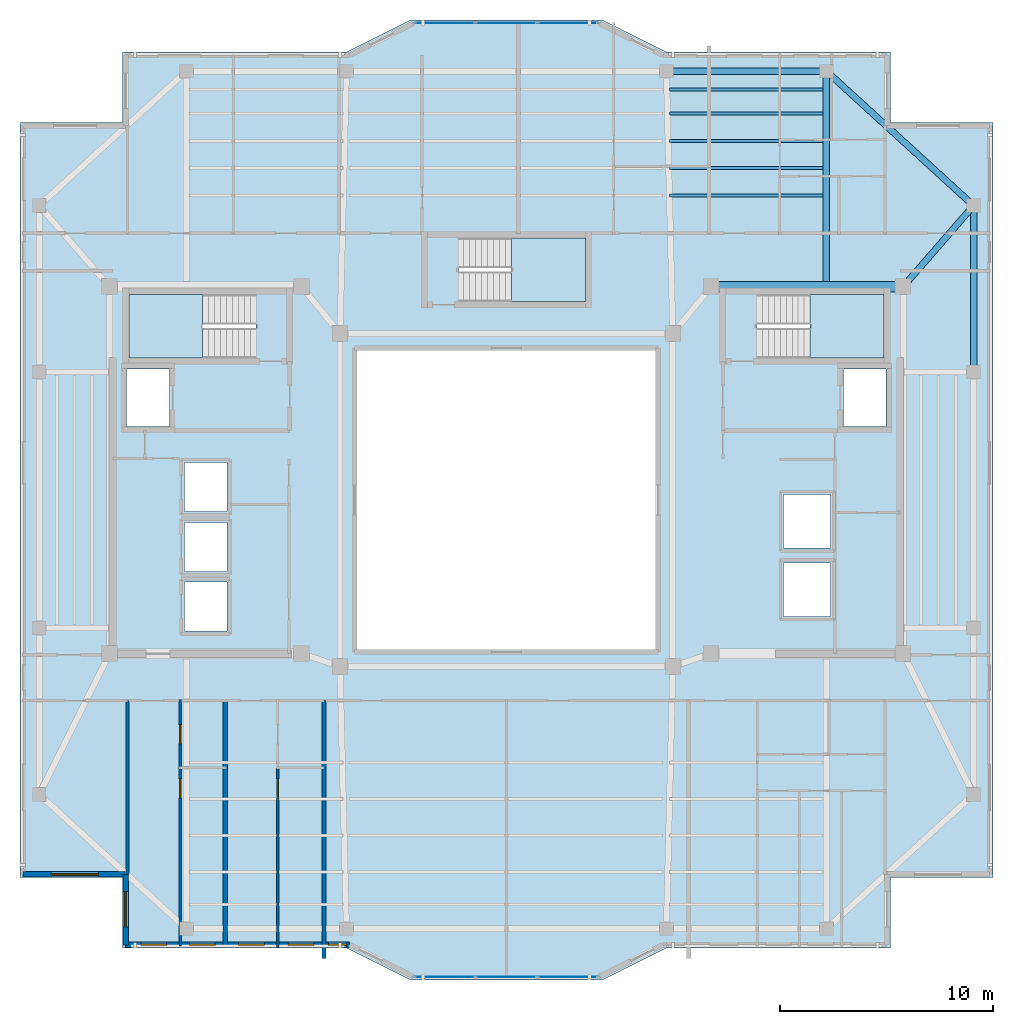
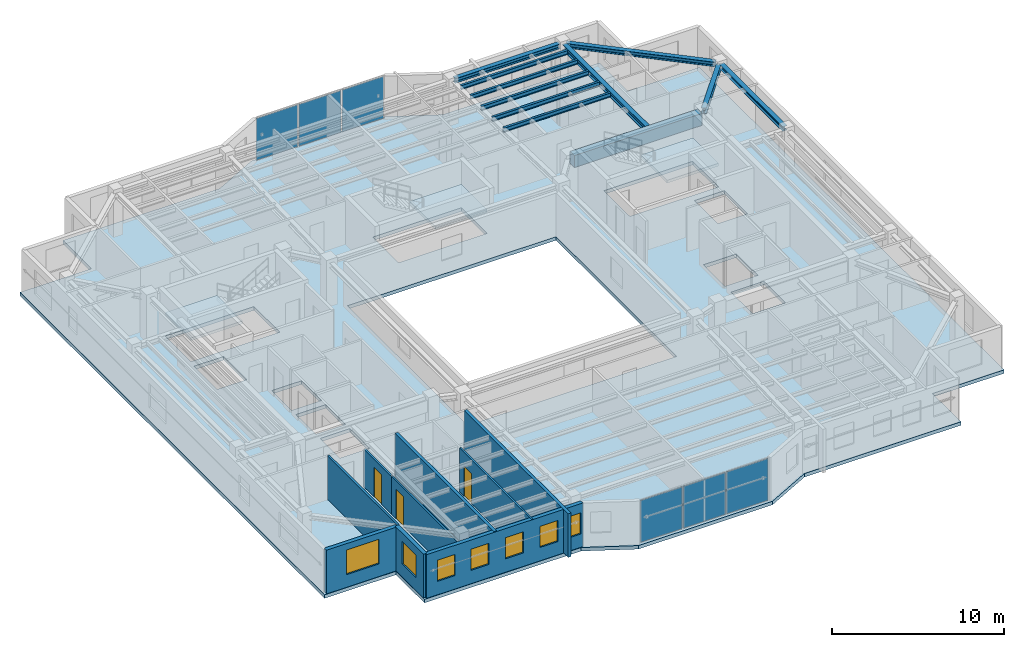
# One storey, part 5 of 14: 11 beams, 9 walls, 7 windows, 6 plates, 4 slabs, 3 doors, 10 openings, 5 elements without a shape of their own.
"""IFC4 building model written with IfcOpenShell, lengths in metres."""

from ifc_helpers import new_model, si_unit, direction, frame, frame_2d, origin, origin_2d, place, context, subcontext, project, spatial, polyline, rectangle, i_section, outline, extrude, material, layer, layer_set, material_profile, profile_set, type_object, element, fill, aggregate, save


model = new_model("IFC4")

# Units and contexts
model_context = context("Model", 3, precision=1e-05, world=origin(), true_north=direction((0.0, 1.0)))
body_context = subcontext(model_context, "Body", "Model", "MODEL_VIEW")
ifc_project = project(units=[si_unit("LENGTHUNIT", "METRE"), si_unit("AREAUNIT", "SQUARE_METRE"), si_unit("VOLUMEUNIT", "CUBIC_METRE"), si_unit("PLANEANGLEUNIT", "RADIAN"), si_unit("MASSUNIT", "GRAM", prefix="KILO")], contexts=[model_context])

# Site, building, storey
site_placement = place(None, origin())
site = spatial("IfcSite", under=ifc_project, at=site_placement, CompositionType="ELEMENT")
building_placement = place(site_placement, origin())
building = spatial("IfcBuilding", under=site, at=building_placement, Name="Tarnavaz Court Tower", CompositionType="ELEMENT")
storey_placement = place(building_placement, frame((0.0, 0.0, 258.25)))
storey = spatial("IfcBuildingStorey", under=building, at=storey_placement, Name="L70", CompositionType="ELEMENT", Elevation=258.25)

# Beams
ifc_material_1 = material(Name="Concrete C50/60", Category="concrete")
ifc_material_profile_1 = material_profile(ifc_material_1, rectangle(XDim=0.5, YDim=0.85009765625, at=origin_2d()), Name="RC 500X850")
ifc_profile_set_1 = profile_set([ifc_material_profile_1], Name="Concrete C50/60")
beam_type_1 = type_object("IfcBeamType", Name="BM-CB850", PredefinedType="LINTEL", material=ifc_profile_set_1)
beam_1_placement = place(storey_placement, frame((18.3798828125, 10.0, 2.675048828125), z_axis=(-1.0, 0.0, 0.0), x_axis=(0.0, -1.0, 0.0)))
element("IfcBeam", 1, at=beam_1_placement, inside=storey, type_object=beam_type_1, Name="L70 Beam IN-CE-NO-CE-NI", PredefinedType="LINTEL", context=body_context, shape_type="SweptSolid", body=[
    extrude(rectangle(XDim=0.5, YDim=0.85009765625, at=origin_2d()), origin(), (0.0, 0.0, 1.0), 8.559814453125),
])
ifc_material_2 = material(Name="Steel S355", Category="steel")
ifc_material_profile_2 = material_profile(ifc_material_2, i_section(OverallWidth=0.300048828125, OverallDepth=0.39990234375, WebThickness=0.013427734375, FlangeThickness=0.02392578125, FilletRadius=0.027099609375, at=origin_2d()), Name="HEB 400")
ifc_profile_set_2 = profile_set([ifc_material_profile_2], Name="Steel S355")
beam_type_2 = type_object("IfcBeamType", Name="BM-G-HEB400", PredefinedType="USERDEFINED", material=ifc_profile_set_2)
beam_2_placement = place(storey_placement, frame((15.0, 10.0400390625, 2.89990234375), z_axis=(0.0, 1.0, 0.0), x_axis=(-1.0, 0.0, 0.0)))
element("IfcBeam", 2, at=beam_2_placement, inside=storey, type_object=beam_type_2, Name="L70 Beam RG-04", ObjectType="GIRDER", PredefinedType="USERDEFINED", context=body_context, shape_type="SweptSolid", body=[
    extrude(i_section(OverallWidth=0.300048828125, OverallDepth=0.39990234375, WebThickness=0.013427734375, FlangeThickness=0.02392578125, FilletRadius=0.027099609375, at=origin_2d()), origin(), (0.0, 0.0, 1.0), 9.83984375),
])
beam_3_placement = place(storey_placement, frame((18.744384765625, 10.166015625, 2.89990234375), z_axis=(0.65565475567, 0.755060819648, 0.0), x_axis=(-0.755060819648, 0.65565475567, 0.0)))
element("IfcBeam", 3, at=beam_3_placement, inside=storey, type_object=beam_type_2, Name="L70 Beam RG-12", ObjectType="GIRDER", PredefinedType="USERDEFINED", context=body_context, shape_type="SweptSolid", body=[
    extrude(i_section(OverallWidth=0.300048828125, OverallDepth=0.39990234375, WebThickness=0.013427734375, FlangeThickness=0.02392578125, FilletRadius=0.027099609375, at=origin_2d()), origin(), (0.0, 0.0, 1.0), 4.5927734375),
])
ifc_material_profile_3 = material_profile(ifc_material_2, i_section(OverallWidth=0.14990234375, OverallDepth=0.300048828125, WebThickness=0.007080078125, FlangeThickness=0.0107421875, FilletRadius=0.014892578125, at=origin_2d()), Name="IPE 300")
ifc_profile_set_3 = profile_set([ifc_material_profile_3], Name="Steel S355")
beam_type_3 = type_object("IfcBeamType", Name="BM-J-IPE300", PredefinedType="JOIST", material=ifc_profile_set_3)
for number, where, z_axis, x_axis, name in (
    (4, (7.64990234375, 14.278076171875, 2.949951171875), (1.0, 0.0, 0.0), (0.0, 1.0, 0.0), "L70 Beam JN1-3"),
    (5, (7.64990234375, 15.555908203125, 2.949951171875), (1.0, 0.0, 0.0), (0.0, 1.0, 0.0), "L70 Beam JN2-3"),
    (6, (7.64990234375, 16.833984375, 2.949951171875), (1.0, 0.0, 0.0), (0.0, 1.0, 0.0), "L70 Beam JN3-3"),
    (7, (7.64990234375, 18.112060546875, 2.949951171875), (1.0, 0.0, 0.0), (0.0, 1.0, 0.0), "L70 Beam JN4-3"),
    (8, (7.64990234375, 19.248046875, 2.949951171875), (1.0, 0.0, 0.0), (0.0, 1.0, 0.0), "L70 Beam JN5-3"),
):
    element("IfcBeam", number, at=place(storey_placement, frame(where, z_axis=z_axis, x_axis=x_axis)), inside=storey, type_object=beam_type_3, Name=name, PredefinedType="JOIST", context=body_context, shape_type="SweptSolid", body=[
        extrude(i_section(OverallWidth=0.14990234375, OverallDepth=0.300048828125, WebThickness=0.007080078125, FlangeThickness=0.0107421875, FilletRadius=0.014892578125, at=origin_2d()), origin(), (0.0, 0.0, 1.0), 7.2001953125),
    ])
ifc_material_profile_4 = material_profile(ifc_material_2, i_section(OverallWidth=0.300048828125, OverallDepth=0.330078125, WebThickness=0.009521484375, FlangeThickness=0.0166015625, FilletRadius=0.027099609375, at=origin_2d()), Name="HEA 340")
ifc_profile_set_4 = profile_set([ifc_material_profile_4], Name="Steel S355")
beam_type_4 = type_object("IfcBeamType", Name="BM-SP-HEA340", PredefinedType="BEAM", material=ifc_profile_set_4)
beam_4_placement = place(storey_placement, frame((7.719970703125, 20.10009765625, 2.93505859375), z_axis=(1.0, 0.0, 0.0), x_axis=(0.0, 1.0, 0.0)))
element("IfcBeam", 9, at=beam_4_placement, inside=storey, type_object=beam_type_4, Name="L70 Beam PR-PN-3-PN-4", PredefinedType="BEAM", context=body_context, shape_type="SweptSolid", body=[
    extrude(i_section(OverallWidth=0.300048828125, OverallDepth=0.330078125, WebThickness=0.009521484375, FlangeThickness=0.0166015625, FilletRadius=0.027099609375, at=origin_2d()), origin(), (0.0, 0.0, 1.0), 7.06005859375),
])
beam_5_placement = place(storey_placement, frame((21.89990234375, 6.219970703125, 2.93505859375), z_axis=(0.0, 1.0, 0.0), x_axis=(-1.0, 0.0, 0.0)))
element("IfcBeam", 10, at=beam_5_placement, inside=storey, type_object=beam_type_4, Name="L70 Beam PR-PE-3-PE-4", PredefinedType="BEAM", context=body_context, shape_type="SweptSolid", body=[
    extrude(i_section(OverallWidth=0.300048828125, OverallDepth=0.330078125, WebThickness=0.009521484375, FlangeThickness=0.0166015625, FilletRadius=0.027099609375, at=origin_2d()), origin(), (0.0, 0.0, 1.0), 7.360107421875),
])
beam_6_placement = place(storey_placement, frame((15.16259765625, 19.95166015625, 2.93505859375), z_axis=(0.738474214476, -0.674281717499, 0.0), x_axis=(0.674281717499, 0.738474214476, 0.0)))
element("IfcBeam", 11, at=beam_6_placement, inside=storey, type_object=beam_type_4, Name="L70 Beam PR-PN-4-PE-4", PredefinedType="BEAM", context=body_context, shape_type="SweptSolid", body=[
    extrude(i_section(OverallWidth=0.300048828125, OverallDepth=0.330078125, WebThickness=0.009521484375, FlangeThickness=0.0166015625, FilletRadius=0.027099609375, at=origin_2d()), origin(), (0.0, 0.0, 1.0), 8.9033203125),
])

# Curtain wall, plates
ifc_material_3 = material(Name="Anodised Aluminium 6063-T6 and Solar Low-E Glazing", Category="aluminium")
ifc_layer_1 = layer(ifc_material_3, 0.159912109375)
ifc_layer_set_1 = layer_set([ifc_layer_1], Name="Anodised Aluminium 6063-T6 and Solar Low-E Glazing")
curtain_wall_type = type_object("IfcCurtainWallType", Name="CW-SYS-03", PredefinedType="NOTDEFINED", material=ifc_layer_set_1)
curtain_wall_1_placement = place(storey_placement, origin())
curtain_wall_1 = element("IfcCurtainWall", 12, at=curtain_wall_1_placement, inside=storey, type_object=curtain_wall_type, Name="L70 Iwan Prow Curtain Wall 7", PredefinedType="NOTDEFINED")
ifc_material_4 = material(Name="Double-Glazed Solar Low-E Glass", Category="glass")
ifc_layer_2 = layer(ifc_material_4, 0.028076171875)
ifc_layer_set_2 = layer_set([ifc_layer_2], Name="Double-Glazed Solar Low-E Glass")
plate_type = type_object("IfcPlateType", Name="CW-PAN-GLZ28", PredefinedType="CURTAIN_PANEL", material=ifc_layer_set_2)
plate_1_placement = place(storey_placement, frame((-2.88134765625, 22.35009765625, 0.06494140625), z_axis=(0.0, 0.0, 1.0), x_axis=(1.0, 0.0, 0.0)))
plate_1 = element("IfcPlate", 13, at=plate_1_placement, type_object=plate_type, Name="CW panel 1.1", PredefinedType="CURTAIN_PANEL", context=body_context, shape_type="SweptSolid", body=[
    extrude(rectangle(XDim=2.78759765625, YDim=0.028076171875, at=origin_2d()), origin(), (0.0, 0.0, 1.0), 2.969970703125),
])
plate_2_placement = place(storey_placement, frame((0.0, 22.35009765625, 0.06494140625), z_axis=(0.0, 0.0, 1.0), x_axis=(1.0, 0.0, 0.0)))
plate_2 = element("IfcPlate", 14, at=plate_2_placement, type_object=plate_type, Name="CW panel 2.1", PredefinedType="CURTAIN_PANEL", context=body_context, shape_type="SweptSolid", body=[
    extrude(rectangle(XDim=2.824951171875, YDim=0.028076171875, at=origin_2d()), origin(), (0.0, 0.0, 1.0), 2.969970703125),
])
plate_3_placement = place(storey_placement, frame((2.88134765625, 22.35009765625, 0.06494140625), z_axis=(0.0, 0.0, 1.0), x_axis=(1.0, 0.0, 0.0)))
plate_3 = element("IfcPlate", 15, at=plate_3_placement, type_object=plate_type, Name="CW panel 3.1", PredefinedType="CURTAIN_PANEL", context=body_context, shape_type="SweptSolid", body=[
    extrude(rectangle(XDim=2.78759765625, YDim=0.028076171875, at=origin_2d()), origin(), (0.0, 0.0, 1.0), 2.969970703125),
])
aggregate(curtain_wall_1, [plate_1, plate_2, plate_3])

curtain_wall_2_placement = place(storey_placement, origin())
curtain_wall_2 = element("IfcCurtainWall", 16, at=curtain_wall_2_placement, inside=storey, type_object=curtain_wall_type, Name="L70 Iwan Prow Curtain Wall 17", PredefinedType="NOTDEFINED")
plate_4_placement = place(storey_placement, frame((2.88134765625, -22.35009765625, 0.06494140625), z_axis=(0.0, 0.0, 1.0), x_axis=(-1.0, 0.0, 0.0)))
plate_4 = element("IfcPlate", 17, at=plate_4_placement, type_object=plate_type, Name="CW panel 1.1", PredefinedType="CURTAIN_PANEL", context=body_context, shape_type="SweptSolid", body=[
    extrude(rectangle(XDim=2.78759765625, YDim=0.028076171875, at=origin_2d()), origin(), (0.0, 0.0, 1.0), 2.969970703125),
])
plate_5_placement = place(storey_placement, frame((0.0, -22.35009765625, 0.06494140625), z_axis=(0.0, 0.0, 1.0), x_axis=(-1.0, 0.0, 0.0)))
plate_5 = element("IfcPlate", 18, at=plate_5_placement, type_object=plate_type, Name="CW panel 2.1", PredefinedType="CURTAIN_PANEL", context=body_context, shape_type="SweptSolid", body=[
    extrude(rectangle(XDim=2.824951171875, YDim=0.028076171875, at=origin_2d()), origin(), (0.0, 0.0, 1.0), 2.969970703125),
])
plate_6_placement = place(storey_placement, frame((-2.88134765625, -22.35009765625, 0.06494140625), z_axis=(0.0, 0.0, 1.0), x_axis=(-1.0, 0.0, 0.0)))
plate_6 = element("IfcPlate", 19, at=plate_6_placement, type_object=plate_type, Name="CW panel 3.1", PredefinedType="CURTAIN_PANEL", context=body_context, shape_type="SweptSolid", body=[
    extrude(rectangle(XDim=2.78759765625, YDim=0.028076171875, at=origin_2d()), origin(), (0.0, 0.0, 1.0), 2.969970703125),
])
aggregate(curtain_wall_2, [plate_4, plate_5, plate_6])

# Stair, slab
ifc_material_5 = material(Name="Concrete C40/50", Category="concrete")
stair_type = type_object("IfcStairType", Name="ST-TWR-20R", PredefinedType="HALF_TURN_STAIR", material=ifc_material_5)
stair_1_placement = place(storey_placement, origin())
stair_1 = element("IfcStair", 20, at=stair_1_placement, inside=storey, type_object=stair_type, Name="L70 West Core Pressurized Exit Stair ST-W1", PredefinedType="HALF_TURN_STAIR")
ifc_layer_3 = layer(ifc_material_5, 0.199951171875)
ifc_layer_set_3 = layer_set([ifc_layer_3], Name="Concrete C40/50")
slab_type_1 = type_object("IfcSlabType", Name="SL-LAND-200", PredefinedType="LANDING", material=ifc_layer_set_3)
slab_1_placement = place(storey_placement, frame((0.0, 0.0, 1.47509765625)))
slab_1 = element("IfcSlab", 21, at=slab_1_placement, type_object=slab_type_1, Name="ST-W1 landing 1", PredefinedType="LANDING", context=body_context, shape_type="SweptSolid", body=[
    extrude(outline(polyline([(-14.239990234375, 9.639892578125), (-17.699951171875, 9.639892578125), (-17.699951171875, 6.64990234375), (-14.239990234375, 6.64990234375), (-14.239990234375, 9.639892578125)])), origin(), (0.0, 0.0, 1.0), 0.199951171875),
])
aggregate(stair_1, [slab_1])

stair_2_placement = place(storey_placement, origin())
stair_2 = element("IfcStair", 22, at=stair_2_placement, inside=storey, type_object=stair_type, Name="L70 East Core Pressurized Exit Stair ST-E1", PredefinedType="HALF_TURN_STAIR")
slab_2_placement = place(storey_placement, frame((0.0, 0.0, 1.47509765625)))
slab_2 = element("IfcSlab", 23, at=slab_2_placement, type_object=slab_type_1, Name="ST-E1 landing 1", PredefinedType="LANDING", context=body_context, shape_type="SweptSolid", body=[
    extrude(outline(polyline([(14.239990234375, 6.64990234375), (17.699951171875, 6.64990234375), (17.699951171875, 9.639892578125), (14.239990234375, 9.639892578125), (14.239990234375, 6.64990234375)])), origin(), (0.0, 0.0, 1.0), 0.199951171875),
])
aggregate(stair_2, [slab_2])

stair_3_placement = place(storey_placement, origin())
stair_3 = element("IfcStair", 24, at=stair_3_placement, inside=storey, type_object=stair_type, Name="L70 North Ring Pressurized Exit Stair ST-N1", PredefinedType="HALF_TURN_STAIR")
slab_3_placement = place(storey_placement, frame((0.0, 0.0, 1.47509765625)))
slab_3 = element("IfcSlab", 25, at=slab_3_placement, type_object=slab_type_1, Name="ST-N1 landing 1", PredefinedType="LANDING", context=body_context, shape_type="SweptSolid", body=[
    extrude(outline(polyline([(0.239990234375, 9.300048828125), (3.699951171875, 9.300048828125), (3.699951171875, 12.2900390625), (0.239990234375, 12.2900390625), (0.239990234375, 9.300048828125)])), origin(), (0.0, 0.0, 1.0), 0.199951171875),
])
aggregate(stair_3, [slab_3])

# Slab
ifc_layer_4 = layer(ifc_material_5, 0.25)
ifc_layer_set_4 = layer_set([ifc_layer_4], Name="Concrete C40/50")
slab_type_2 = type_object("IfcSlabType", Name="SL-RES-250", PredefinedType="FLOOR", material=ifc_layer_set_4)
slab_4_placement = place(storey_placement, frame((0.0, 0.0, -0.25)))
element("IfcSlab", 26, at=slab_4_placement, inside=storey, type_object=slab_type_2, Name="L70 Structural Floor Slab", PredefinedType="FLOOR", context=body_context, shape_type="SweptSolid", body=[
    extrude(outline(polyline([(-18.0, -21.0), (-7.5, -21.0), (-4.5, -22.5), (4.5, -22.5), (7.5, -21.0), (18.0, -21.0), (18.0, -17.699951171875), (22.800048828125, -17.699951171875), (22.800048828125, 17.699951171875), (18.0, 17.699951171875), (18.0, 21.0), (7.5, 21.0), (4.5, 22.5), (-4.5, 22.5), (-7.5, 21.0), (-18.0, 21.0), (-18.0, 17.699951171875), (-22.800048828125, 17.699951171875), (-22.800048828125, -17.699951171875), (-18.0, -17.699951171875), (-18.0, -21.0)]), holes=[polyline([(-7.0, -7.0), (7.0, -7.0), (7.0, 7.0), (-7.0, 7.0), (-7.0, -7.0)]), polyline([(-11.7451171875, 9.639892578125), (-17.699951171875, 9.639892578125), (-17.699951171875, 6.64990234375), (-11.7451171875, 6.64990234375), (-11.7451171875, 9.639892578125)]), polyline([(11.7451171875, 6.64990234375), (17.699951171875, 6.64990234375), (17.699951171875, 9.639892578125), (11.7451171875, 9.639892578125), (11.7451171875, 6.64990234375)]), polyline([(-2.2548828125, 9.300048828125), (3.699951171875, 9.300048828125), (3.699951171875, 12.2900390625), (-2.2548828125, 12.2900390625), (-2.2548828125, 9.300048828125)]), polyline([(-17.800048828125, 3.449951171875), (-15.800048828125, 3.449951171875), (-15.800048828125, 6.14990234375), (-17.800048828125, 6.14990234375), (-17.800048828125, 3.449951171875)]), polyline([(-15.10009765625, -6.14990234375), (-13.10009765625, -6.14990234375), (-13.10009765625, -3.85009765625), (-15.10009765625, -3.85009765625), (-15.10009765625, -6.14990234375)]), polyline([(-15.10009765625, -3.35009765625), (-13.10009765625, -3.35009765625), (-13.10009765625, -1.050048828125), (-15.10009765625, -1.050048828125), (-15.10009765625, -3.35009765625)]), polyline([(-15.10009765625, -0.550048828125), (-13.10009765625, -0.550048828125), (-13.10009765625, 1.75), (-15.10009765625, 1.75), (-15.10009765625, -0.550048828125)]), polyline([(15.800048828125, 3.449951171875), (17.800048828125, 3.449951171875), (17.800048828125, 6.14990234375), (15.800048828125, 6.14990234375), (15.800048828125, 3.449951171875)]), polyline([(13.0, -5.449951171875), (15.199951171875, -5.449951171875), (15.199951171875, -2.949951171875), (13.0, -2.949951171875), (13.0, -5.449951171875)]), polyline([(13.0, -2.25), (15.199951171875, -2.25), (15.199951171875, 0.25), (13.0, 0.25), (13.0, -2.25)])]), origin(), (0.0, 0.0, 1.0), 0.25),
])

# Wall, opening, window
ifc_material_6 = material(Name="Precast Concrete C40/50", Category="concrete")
ifc_layer_5 = layer(ifc_material_6, 0.260009765625)
ifc_layer_set_5 = layer_set([ifc_layer_5], Name="Precast Concrete C40/50")
wall_type_1 = type_object("IfcWallType", Name="WL-EXT-260", PredefinedType="SOLIDWALL", material=ifc_layer_set_5)
wall_1_placement = place(storey_placement, frame((-17.85009765625, -17.550048828125, 0.0), z_axis=(0.0, 0.0, 1.0), x_axis=(-1.0, 0.0, 0.0)))
wall_1 = element("IfcWall", 27, at=wall_1_placement, inside=storey, type_object=wall_type_1, Name="L70 Exterior Terracotta Facade Wall 01", PredefinedType="SOLIDWALL", context=body_context, shape_type="SweptSolid", body=[
    extrude(rectangle(XDim=4.7998046875, YDim=0.260009765625, at=frame_2d((2.39990234375, 0.0))), origin(), (0.0, 0.0, 1.0), 3.10009765625),
])
opening_1_placement = place(wall_1_placement, frame((1.274658203125, 0.0, 0.89990234375)))
opening_1 = element("IfcOpeningElement", 28, at=opening_1_placement, cuts=wall_1, Name="Opening W07", PredefinedType="OPENING", context=body_context, shape_type="SweptSolid", body=[
    extrude(rectangle(XDim=2.199951171875, YDim=1.75, at=frame_2d((1.10009765625, 0.875))), frame((0.0, 0.139892578125, 0.0), z_axis=(0.0, -1.0, 0.0), x_axis=(1.0, 0.0, 0.0)), (0.0, 0.0, 1.0), 0.280029296875),
])
window_type_1 = type_object("IfcWindowType", Name="WN-APT-2200", PartitioningType="TRIPLE_PANEL_VERTICAL", PredefinedType="WINDOW", material=ifc_material_4)
window_1_placement = place(opening_1_placement, origin())
window_1 = element("IfcWindow", 29, at=window_1_placement, inside=storey, type_object=window_type_1, Name="L70 South-West Corner Reading Room Window", OverallHeight=1.75, OverallWidth=2.199951171875, PartitioningType="SINGLE_PANEL", PredefinedType="WINDOW", context=body_context, shape_type="SweptSolid", body=[
    extrude(rectangle(XDim=2.199951171875, YDim=1.75, at=frame_2d((1.10009765625, 0.875))), frame((0.0, 0.030029296875, 0.0), z_axis=(0.0, -1.0, 0.0), x_axis=(1.0, 0.0, 0.0)), (0.0, 0.0, 1.0), 0.06005859375),
])
fill(opening_1, window_1)

# Wall, openings, windows
wall_2_placement = place(storey_placement, frame((-7.35009765625, -20.85009765625, 0.0), z_axis=(0.0, 0.0, 1.0), x_axis=(-1.0, 0.0, 0.0)))
wall_2 = element("IfcWall", 30, at=wall_2_placement, inside=storey, type_object=wall_type_1, Name="L70 Exterior Terracotta Facade Wall 19", PredefinedType="SOLIDWALL", context=body_context, shape_type="SweptSolid", body=[
    extrude(rectangle(XDim=10.5, YDim=0.260009765625, at=frame_2d((5.25, 0.0))), origin(), (0.0, 0.0, 1.0), 3.10009765625),
])
opening_2_placement = place(wall_2_placement, frame((0.14501953125, 0.0, 0.949951171875)))
opening_2 = element("IfcOpeningElement", 31, at=opening_2_placement, cuts=wall_2, Name="Opening W15", PredefinedType="OPENING", context=body_context, shape_type="SweptSolid", body=[
    extrude(rectangle(XDim=0.85009765625, YDim=1.5, at=frame_2d((0.425048828125, 0.75))), frame((0.0, 0.139892578125, 0.0), z_axis=(0.0, -1.0, 0.0), x_axis=(1.0, 0.0, 0.0)), (0.0, 0.0, 1.0), 0.280029296875),
])
opening_3_placement = place(wall_2_placement, frame((1.677490234375, 0.0, 0.949951171875)))
opening_3 = element("IfcOpeningElement", 32, at=opening_3_placement, cuts=wall_2, Name="Opening W05", PredefinedType="OPENING", context=body_context, shape_type="SweptSolid", body=[
    extrude(rectangle(XDim=1.199951171875, YDim=1.5, at=frame_2d((0.60009765625, 0.75))), frame((0.0, 0.139892578125, 0.0), z_axis=(0.0, -1.0, 0.0), x_axis=(1.0, 0.0, 0.0)), (0.0, 0.0, 1.0), 0.280029296875),
])
opening_4_placement = place(wall_2_placement, frame((4.0, 0.0, 0.949951171875)))
opening_4 = element("IfcOpeningElement", 33, at=opening_4_placement, cuts=wall_2, Name="Opening W05", PredefinedType="OPENING", context=body_context, shape_type="SweptSolid", body=[
    extrude(rectangle(XDim=1.199951171875, YDim=1.5, at=frame_2d((0.60009765625, 0.75))), frame((0.0, 0.139892578125, 0.0), z_axis=(0.0, -1.0, 0.0), x_axis=(1.0, 0.0, 0.0)), (0.0, 0.0, 1.0), 0.280029296875),
])
opening_5_placement = place(wall_2_placement, frame((6.302490234375, 0.0, 0.949951171875)))
opening_5 = element("IfcOpeningElement", 34, at=opening_5_placement, cuts=wall_2, Name="Opening W05", PredefinedType="OPENING", context=body_context, shape_type="SweptSolid", body=[
    extrude(rectangle(XDim=1.199951171875, YDim=1.5, at=frame_2d((0.60009765625, 0.75))), frame((0.0, 0.139892578125, 0.0), z_axis=(0.0, -1.0, 0.0), x_axis=(1.0, 0.0, 0.0)), (0.0, 0.0, 1.0), 0.280029296875),
])
opening_6_placement = place(wall_2_placement, frame((8.574951171875, 0.0, 0.949951171875)))
opening_6 = element("IfcOpeningElement", 35, at=opening_6_placement, cuts=wall_2, Name="Opening W05", PredefinedType="OPENING", context=body_context, shape_type="SweptSolid", body=[
    extrude(rectangle(XDim=1.199951171875, YDim=1.5, at=frame_2d((0.60009765625, 0.75))), frame((0.0, 0.139892578125, 0.0), z_axis=(0.0, -1.0, 0.0), x_axis=(1.0, 0.0, 0.0)), (0.0, 0.0, 1.0), 0.280029296875),
])
window_type_2 = type_object("IfcWindowType", Name="WN-APT-1200", PartitioningType="SINGLE_PANEL", PredefinedType="WINDOW", material=ifc_material_4)
window_2_placement = place(opening_3_placement, origin())
window_2 = element("IfcWindow", 36, at=window_2_placement, inside=storey, type_object=window_type_2, Name="L70 Flat 04 Kitchen Window", OverallHeight=1.5, OverallWidth=1.199951171875, PartitioningType="SINGLE_PANEL", PredefinedType="WINDOW", context=body_context, shape_type="SweptSolid", body=[
    extrude(rectangle(XDim=1.199951171875, YDim=1.5, at=frame_2d((0.60009765625, 0.75))), frame((0.0, 0.030029296875, 0.0), z_axis=(0.0, -1.0, 0.0), x_axis=(1.0, 0.0, 0.0)), (0.0, 0.0, 1.0), 0.06005859375),
])
fill(opening_3, window_2)
window_3_placement = place(opening_4_placement, origin())
window_3 = element("IfcWindow", 37, at=window_3_placement, inside=storey, type_object=window_type_2, Name="L70 Flat 04 Studio Living and Sleeping Room Window", OverallHeight=1.5, OverallWidth=1.199951171875, PartitioningType="SINGLE_PANEL", PredefinedType="WINDOW", context=body_context, shape_type="SweptSolid", body=[
    extrude(rectangle(XDim=1.199951171875, YDim=1.5, at=frame_2d((0.60009765625, 0.75))), frame((0.0, 0.030029296875, 0.0), z_axis=(0.0, -1.0, 0.0), x_axis=(1.0, 0.0, 0.0)), (0.0, 0.0, 1.0), 0.06005859375),
])
fill(opening_4, window_3)
window_4_placement = place(opening_5_placement, origin())
window_4 = element("IfcWindow", 38, at=window_4_placement, inside=storey, type_object=window_type_2, Name="L70 Flat 03 Kitchen Window", OverallHeight=1.5, OverallWidth=1.199951171875, PartitioningType="SINGLE_PANEL", PredefinedType="WINDOW", context=body_context, shape_type="SweptSolid", body=[
    extrude(rectangle(XDim=1.199951171875, YDim=1.5, at=frame_2d((0.60009765625, 0.75))), frame((0.0, 0.030029296875, 0.0), z_axis=(0.0, -1.0, 0.0), x_axis=(1.0, 0.0, 0.0)), (0.0, 0.0, 1.0), 0.06005859375),
])
fill(opening_5, window_4)
window_5_placement = place(opening_6_placement, origin())
window_5 = element("IfcWindow", 39, at=window_5_placement, inside=storey, type_object=window_type_2, Name="L70 Flat 03 Studio Living and Sleeping Room Window", OverallHeight=1.5, OverallWidth=1.199951171875, PartitioningType="SINGLE_PANEL", PredefinedType="WINDOW", context=body_context, shape_type="SweptSolid", body=[
    extrude(rectangle(XDim=1.199951171875, YDim=1.5, at=frame_2d((0.60009765625, 0.75))), frame((0.0, 0.030029296875, 0.0), z_axis=(0.0, -1.0, 0.0), x_axis=(1.0, 0.0, 0.0)), (0.0, 0.0, 1.0), 0.06005859375),
])
fill(opening_6, window_5)
window_type_3 = type_object("IfcWindowType", Name="WN-APT-850", PartitioningType="SINGLE_PANEL", PredefinedType="WINDOW", material=ifc_material_4)
window_6_placement = place(opening_2_placement, origin())
window_6 = element("IfcWindow", 40, at=window_6_placement, inside=storey, type_object=window_type_3, Name="L70 South Courtyard Majlis Lounge Window", OverallHeight=1.5, OverallWidth=0.85009765625, PartitioningType="SINGLE_PANEL", PredefinedType="WINDOW", context=body_context, shape_type="SweptSolid", body=[
    extrude(rectangle(XDim=0.85009765625, YDim=1.5, at=frame_2d((0.425048828125, 0.75))), frame((0.0, 0.030029296875, 0.0), z_axis=(0.0, -1.0, 0.0), x_axis=(1.0, 0.0, 0.0)), (0.0, 0.0, 1.0), 0.06005859375),
])
fill(opening_2, window_6)

# Wall, opening, window
wall_3_placement = place(storey_placement, frame((-17.85009765625, -20.85009765625, 0.0), z_axis=(0.0, 0.0, 1.0), x_axis=(0.0, 1.0, 0.0)))
wall_3 = element("IfcWall", 41, at=wall_3_placement, inside=storey, type_object=wall_type_1, Name="L70 Exterior Terracotta Facade Wall 20", PredefinedType="SOLIDWALL", context=body_context, shape_type="SweptSolid", body=[
    extrude(rectangle(XDim=3.300048828125, YDim=0.260009765625, at=frame_2d((1.64990234375, 0.0))), origin(), (0.0, 0.0, 1.0), 3.10009765625),
])
opening_7_placement = place(wall_3_placement, frame((0.842529296875, 0.0, 0.89990234375)))
opening_7 = element("IfcOpeningElement", 42, at=opening_7_placement, cuts=wall_3, Name="Opening W02", PredefinedType="OPENING", context=body_context, shape_type="SweptSolid", body=[
    extrude(rectangle(XDim=1.64990234375, YDim=1.60009765625, at=frame_2d((0.824951171875, 0.800048828125))), frame((0.0, 0.139892578125, 0.0), z_axis=(0.0, -1.0, 0.0), x_axis=(1.0, 0.0, 0.0)), (0.0, 0.0, 1.0), 0.280029296875),
])
window_type_4 = type_object("IfcWindowType", Name="WN-APT-1650", PartitioningType="DOUBLE_PANEL_VERTICAL", PredefinedType="WINDOW", material=ifc_material_4)
window_7_placement = place(opening_7_placement, origin())
window_7 = element("IfcWindow", 43, at=window_7_placement, inside=storey, type_object=window_type_4, Name="L70 Flat 03 Studio Living and Sleeping Room Window", OverallHeight=1.60009765625, OverallWidth=1.64990234375, PartitioningType="SINGLE_PANEL", PredefinedType="WINDOW", context=body_context, shape_type="SweptSolid", body=[
    extrude(rectangle(XDim=1.64990234375, YDim=1.60009765625, at=frame_2d((0.824951171875, 0.800048828125))), frame((0.0, 0.030029296875, 0.0), z_axis=(0.0, -1.0, 0.0), x_axis=(1.0, 0.0, 0.0)), (0.0, 0.0, 1.0), 0.06005859375),
])
fill(opening_7, window_7)

# Walls
ifc_material_7 = material(Name="Autoclaved Aerated Concrete Blockwork", Category="masonry")
ifc_layer_6 = layer(ifc_material_7, 0.199951171875)
ifc_layer_set_6 = layer_set([ifc_layer_6], Name="Autoclaved Aerated Concrete Blockwork")
wall_type_2 = type_object("IfcWallType", Name="WL-FIRE-200", PredefinedType="SOLIDWALL", material=ifc_layer_set_6)
wall_4_placement = place(storey_placement, frame((-13.175048828125, -20.89990234375, 0.0), z_axis=(0.0, 0.0, 1.0), x_axis=(0.0, 1.0, 0.0)))
element("IfcWall", 44, at=wall_4_placement, inside=storey, type_object=wall_type_2, Name="L70 Party Wall 075", PredefinedType="SOLIDWALL", context=body_context, shape_type="SweptSolid", body=[
    extrude(rectangle(XDim=11.5, YDim=0.199951171875, at=frame_2d((5.75, 0.0))), origin(), (0.0, 0.0, 1.0), 3.10009765625),
])
wall_5_placement = place(storey_placement, frame((-8.550048828125, -21.50390625, 0.0), z_axis=(0.0, 0.0, 1.0), x_axis=(0.0, 1.0, 0.0)))
element("IfcWall", 45, at=wall_5_placement, inside=storey, type_object=wall_type_2, Name="L70 Party Wall 089", PredefinedType="SOLIDWALL", context=body_context, shape_type="SweptSolid", body=[
    extrude(rectangle(XDim=12.10400390625, YDim=0.199951171875, at=frame_2d((6.052001953125, 0.0))), origin(), (0.0, 0.0, 1.0), 3.10009765625),
])

# Wall, opening, door
ifc_material_8 = material(Name="Moisture-Resistant Gypsum Board Partition", Category="masonry")
ifc_layer_7 = layer(ifc_material_8, 0.1201171875)
ifc_layer_set_7 = layer_set([ifc_layer_7], Name="Moisture-Resistant Gypsum Board Partition")
wall_type_3 = type_object("IfcWallType", Name="WL-PART-120", PredefinedType="PARTITIONING", material=ifc_layer_set_7)
wall_6_placement = place(storey_placement, frame((-15.2900390625, -20.89990234375, 0.0), z_axis=(0.0, 0.0, 1.0), x_axis=(0.0, 1.0, 0.0)))
wall_6 = element("IfcWall", 46, at=wall_6_placement, inside=storey, type_object=wall_type_3, Name="L70 Interior Partition 076", PredefinedType="PARTITIONING", context=body_context, shape_type="SweptSolid", body=[
    extrude(rectangle(XDim=8.33984375, YDim=0.1201171875, at=frame_2d((4.169921875, 0.0))), origin(), (0.0, 0.0, 1.0), 2.68505859375),
])
opening_8_placement = place(wall_6_placement, frame((6.93994140625, 0.0, 0.0)))
opening_8 = element("IfcOpeningElement", 47, at=opening_8_placement, cuts=wall_6, Name="Opening D14", PredefinedType="OPENING", context=body_context, shape_type="SweptSolid", body=[
    extrude(rectangle(XDim=0.8798828125, YDim=2.10009765625, at=frame_2d((0.43994140625, 1.050048828125))), frame((0.0, 0.070068359375, 0.0), z_axis=(0.0, -1.0, 0.0), x_axis=(1.0, 0.0, 0.0)), (0.0, 0.0, 1.0), 0.14013671875),
])
ifc_material_9 = material(Name="Engineered Oak Timber", Category="wood")
door_type = type_object("IfcDoorType", Name="DR-INT-900", OperationType="NOTDEFINED", PredefinedType="DOOR", material=ifc_material_9)
door_1_placement = place(opening_8_placement, origin())
door_1 = element("IfcDoor", 48, at=door_1_placement, inside=storey, type_object=door_type, Name="L70 Flat 03 Kitchen Door", OperationType="SINGLE_SWING_LEFT", OverallHeight=2.10009765625, OverallWidth=0.8798828125, PredefinedType="DOOR", context=body_context, shape_type="SweptSolid", body=[
    extrude(rectangle(XDim=0.8798828125, YDim=2.10009765625, at=frame_2d((0.43994140625, 1.050048828125))), frame((0.0, 0.02490234375, 0.0), z_axis=(0.0, -1.0, 0.0), x_axis=(1.0, 0.0, 0.0)), (0.0, 0.0, 1.0), 0.050048828125),
])
fill(opening_8, door_1)

wall_7_placement = place(storey_placement, frame((-15.2900390625, -12.56005859375, 0.0), z_axis=(0.0, 0.0, 1.0), x_axis=(0.0, 1.0, 0.0)))
wall_7 = element("IfcWall", 49, at=wall_7_placement, inside=storey, type_object=wall_type_3, Name="L70 Interior Partition 077", PredefinedType="PARTITIONING", context=body_context, shape_type="SweptSolid", body=[
    extrude(rectangle(XDim=3.219970703125, YDim=0.1201171875, at=frame_2d((1.60986328125, 0.0))), origin(), (0.0, 0.0, 1.0), 2.68505859375),
])
opening_9_placement = place(wall_7_placement, frame((1.139892578125, 0.0, 0.0)))
opening_9 = element("IfcOpeningElement", 50, at=opening_9_placement, cuts=wall_7, Name="Opening D14", PredefinedType="OPENING", context=body_context, shape_type="SweptSolid", body=[
    extrude(rectangle(XDim=0.8798828125, YDim=2.10009765625, at=frame_2d((0.43994140625, 1.050048828125))), frame((0.0, 0.070068359375, 0.0), z_axis=(0.0, -1.0, 0.0), x_axis=(1.0, 0.0, 0.0)), (0.0, 0.0, 1.0), 0.14013671875),
])
door_2_placement = place(opening_9_placement, origin())
door_2 = element("IfcDoor", 51, at=door_2_placement, inside=storey, type_object=door_type, Name="L70 Flat 03 Bathroom Door", OperationType="SINGLE_SWING_RIGHT", OverallHeight=2.10009765625, OverallWidth=0.8798828125, PredefinedType="DOOR", context=body_context, shape_type="SweptSolid", body=[
    extrude(rectangle(XDim=0.8798828125, YDim=2.10009765625, at=frame_2d((0.43994140625, 1.050048828125))), frame((0.0, 0.02490234375, 0.0), z_axis=(0.0, -1.0, 0.0), x_axis=(1.0, 0.0, 0.0)), (0.0, 0.0, 1.0), 0.050048828125),
])
fill(opening_9, door_2)

wall_8_placement = place(storey_placement, frame((-10.715087890625, -20.969970703125, 0.0), z_axis=(0.0, 0.0, 1.0), x_axis=(0.0, 1.0, 0.0)))
wall_8 = element("IfcWall", 52, at=wall_8_placement, inside=storey, type_object=wall_type_3, Name="L70 Interior Partition 079", PredefinedType="PARTITIONING", context=body_context, shape_type="SweptSolid", body=[
    extrude(rectangle(XDim=8.409912109375, YDim=0.1201171875, at=frame_2d((4.205078125, 0.0))), origin(), (0.0, 0.0, 1.0), 3.10009765625),
])
opening_10_placement = place(wall_8_placement, frame((7.010009765625, 0.0, 0.0)))
opening_10 = element("IfcOpeningElement", 53, at=opening_10_placement, cuts=wall_8, Name="Opening D14", PredefinedType="OPENING", context=body_context, shape_type="SweptSolid", body=[
    extrude(rectangle(XDim=0.8798828125, YDim=2.10009765625, at=frame_2d((0.43994140625, 1.050048828125))), frame((0.0, 0.070068359375, 0.0), z_axis=(0.0, -1.0, 0.0), x_axis=(1.0, 0.0, 0.0)), (0.0, 0.0, 1.0), 0.14013671875),
])
door_3_placement = place(opening_10_placement, origin())
door_3 = element("IfcDoor", 54, at=door_3_placement, inside=storey, type_object=door_type, Name="L70 Flat 04 Kitchen Door", OperationType="SINGLE_SWING_RIGHT", OverallHeight=2.10009765625, OverallWidth=0.8798828125, PredefinedType="DOOR", context=body_context, shape_type="SweptSolid", body=[
    extrude(rectangle(XDim=0.8798828125, YDim=2.10009765625, at=frame_2d((0.43994140625, 1.050048828125))), frame((0.0, 0.02490234375, 0.0), z_axis=(0.0, -1.0, 0.0), x_axis=(1.0, 0.0, 0.0)), (0.0, 0.0, 1.0), 0.050048828125),
])
fill(opening_10, door_3)

# Wall
ifc_material_10 = material(Name="Gypsum Plasterboard Acoustic Partition", Category="masonry")
ifc_layer_8 = layer(ifc_material_10, 0.139892578125)
ifc_layer_set_8 = layer_set([ifc_layer_8], Name="Gypsum Plasterboard Acoustic Partition")
wall_type_4 = type_object("IfcWallType", Name="WL-PART-150", PredefinedType="PARTITIONING", material=ifc_layer_set_8)
wall_9_placement = place(storey_placement, frame((-17.75, -17.550048828125, 0.0), z_axis=(0.0, 0.0, 1.0), x_axis=(0.0, 1.0, 0.0)))
element("IfcWall", 55, at=wall_9_placement, inside=storey, type_object=wall_type_4, Name="L70 Interior Partition 097", PredefinedType="PARTITIONING", context=body_context, shape_type="SweptSolid", body=[
    extrude(rectangle(XDim=8.150146484375, YDim=0.139892578125, at=frame_2d((4.0751953125, 0.0))), origin(), (0.0, 0.0, 1.0), 3.10009765625),
])

save(model, "model.ifc")
